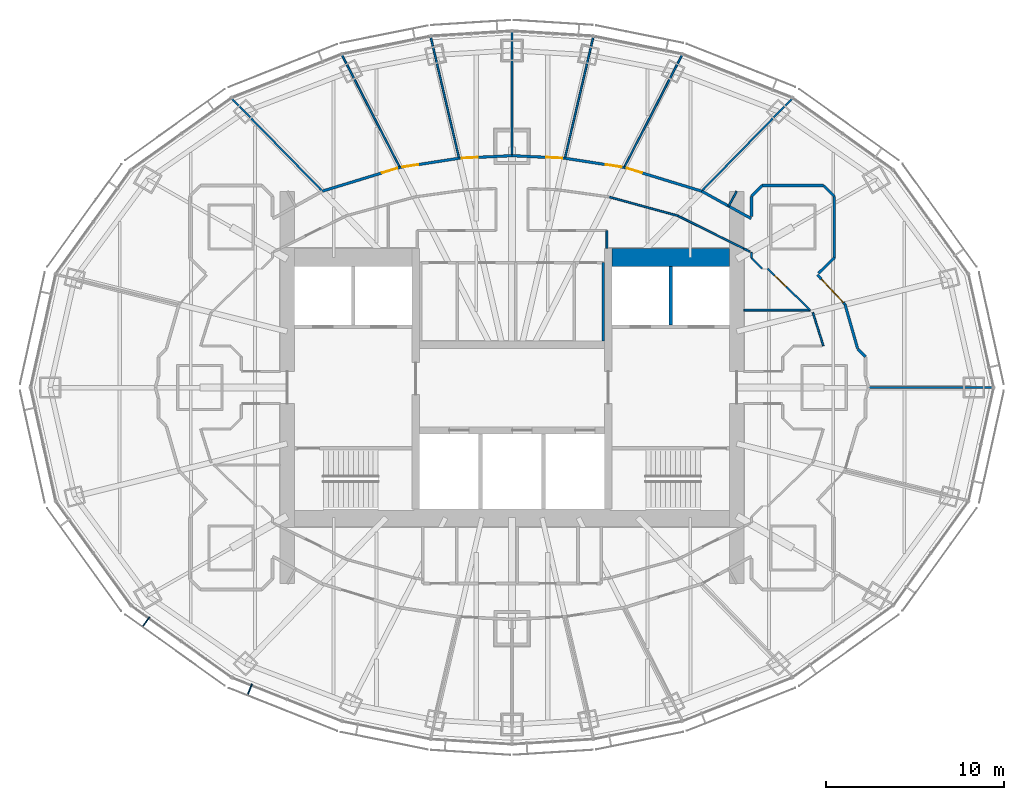
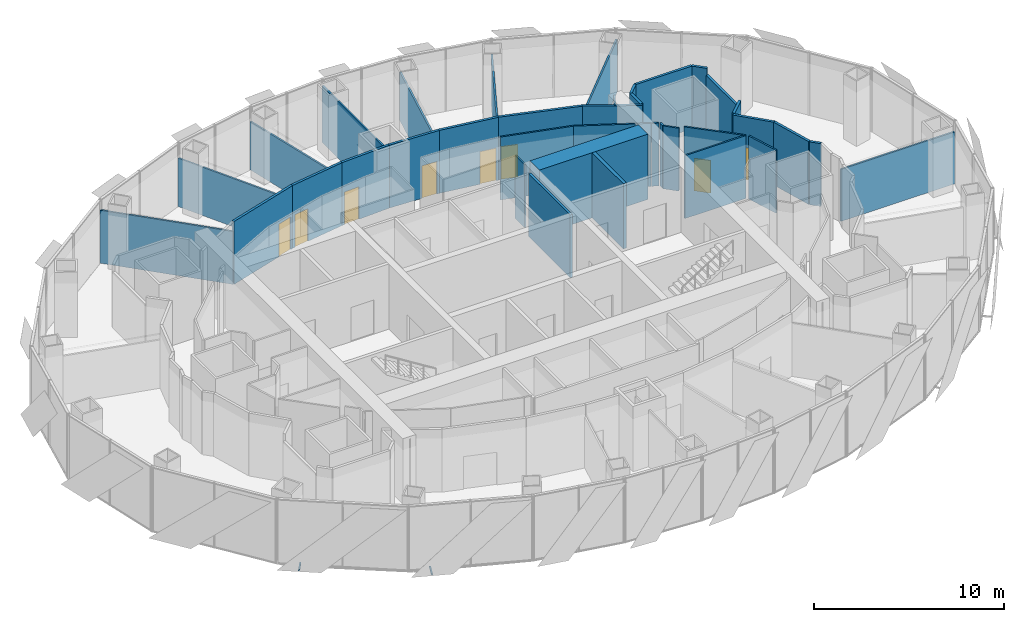
# One storey, part 15 of 19: 37 walls, 8 doors, 2 discrete accessories, 8 openings.
"""IFC4 building model written with IfcOpenShell, lengths in metres."""

from ifc_helpers import new_model, si_unit, direction, frame, frame_2d, origin, origin_2d, place, context, subcontext, project, spatial, rectangle, extrude, material, layer, layer_set, type_object, element, fill, save


model = new_model("IFC4")

# Units and contexts
model_context = context("Model", 3, precision=1e-05, world=origin(), true_north=direction((0.0, 1.0)))
body_context = subcontext(model_context, "Body", "Model", "MODEL_VIEW")
ifc_project = project(units=[si_unit("LENGTHUNIT", "METRE"), si_unit("AREAUNIT", "SQUARE_METRE"), si_unit("VOLUMEUNIT", "CUBIC_METRE"), si_unit("PLANEANGLEUNIT", "RADIAN"), si_unit("MASSUNIT", "GRAM", prefix="KILO")], contexts=[model_context])

# Site, building, storey
site_placement = place(None, origin())
site = spatial("IfcSite", under=ifc_project, at=site_placement, CompositionType="ELEMENT")
building_placement = place(site_placement, origin())
building = spatial("IfcBuilding", under=site, at=building_placement, Name="Lantaw Convention Tower", CompositionType="ELEMENT")
storey_placement = place(building_placement, frame((0.0, 0.0, 253.60009765625)))
storey = spatial("IfcBuildingStorey", under=building, at=storey_placement, Name="L59", CompositionType="ELEMENT", Elevation=253.60009765625)

# Wall
ifc_material_1 = material(Name="Concrete C60/75", Category="concrete")
ifc_layer_1 = layer(ifc_material_1, 1.0)
ifc_layer_set_1 = layer_set([ifc_layer_1], Name="Core wall 1000")
wall_type_1 = type_object("IfcWallType", Name="Core wall 1000", PredefinedType="SHEAR", material=ifc_layer_set_1)
wall_1_placement = place(storey_placement, frame((12.199951171875, 7.300048828125, 0.0), z_axis=(0.0, 0.0, 1.0), x_axis=(-1.0, 0.0, 0.0)))
element("IfcWall", 1, at=wall_1_placement, inside=storey, type_object=wall_type_1, Name="Core wall NE", PredefinedType="SHEAR", context=body_context, shape_type="SweptSolid", body=[
    extrude(rectangle(XDim=6.599853515625, YDim=1.0, at=frame_2d((3.2998046875, 0.0))), origin(), (0.0, 0.0, 1.0), 4.199951171875),
])

# Wall, opening, door
ifc_material_2 = material(Name="Gypsum board on steel studs, fire rated", Category="steel")
ifc_layer_2 = layer(ifc_material_2, 0.14990234375)
ifc_layer_set_2 = layer_set([ifc_layer_2], Name="Corridor wall 150 EI 60")
wall_type_2 = type_object("IfcWallType", Name="Corridor wall 150 EI 60", PredefinedType="PARTITIONING", material=ifc_layer_set_2)
wall_2_placement = place(storey_placement, frame((10.6328125, 11.010498046875, 0.0), z_axis=(0.0, 0.0, 1.0), x_axis=(-0.956185837153, 0.292760388079, 0.0)))
wall_2 = element("IfcWall", 2, at=wall_2_placement, inside=storey, type_object=wall_type_2, Name="Corridor wall 150", PredefinedType="PARTITIONING", context=body_context, shape_type="SweptSolid", body=[
    extrude(rectangle(XDim=4.5439453125, YDim=0.14990234375, at=frame_2d((2.27197265625, 0.0))), origin(), (0.0, 0.0, 1.0), 4.0498046875),
])
opening_1_placement = place(wall_2_placement, frame((3.493896484375, 0.0, 0.0)))
opening_1 = element("IfcOpeningElement", 3, at=opening_1_placement, cuts=wall_2, Name="Opening L59.34", PredefinedType="OPENING", context=body_context, shape_type="SweptSolid", body=[
    extrude(rectangle(XDim=0.89990234375, YDim=2.10009765625, at=frame_2d((0.449951171875, 1.050048828125))), frame((0.0, 0.0849609375, 0.0), z_axis=(0.0, -1.0, 0.0), x_axis=(1.0, 0.0, 0.0)), (0.0, 0.0, 1.0), 0.169921875),
])
ifc_material_3 = material(Name="Steel, fire rated", Category="steel")
door_type_1 = type_object("IfcDoorType", Name="Office door 900 FD30", OperationType="SINGLE_SWING_LEFT", PredefinedType="DOOR", material=ifc_material_3)
door_1_placement = place(opening_1_placement, origin())
door_1 = element("IfcDoor", 4, at=door_1_placement, inside=storey, type_object=door_type_1, Name="Private office door", OperationType="SINGLE_SWING_LEFT", OverallHeight=2.10009765625, OverallWidth=0.89990234375, PredefinedType="DOOR", context=body_context, shape_type="SweptSolid", body=[
    extrude(rectangle(XDim=0.89990234375, YDim=2.10009765625, at=frame_2d((0.449951171875, 1.050048828125))), frame((0.0, 0.02490234375, 0.0), z_axis=(0.0, -1.0, 0.0), x_axis=(1.0, 0.0, 0.0)), (0.0, 0.0, 1.0), 0.050048828125),
])
fill(opening_1, door_1)

wall_3_placement = place(storey_placement, frame((6.287841796875, 12.3408203125, 0.0), z_axis=(0.0, 0.0, 1.0), x_axis=(-0.988174283057, 0.153334882869, 0.0)))
wall_3 = element("IfcWall", 5, at=wall_3_placement, inside=storey, type_object=wall_type_2, Name="Corridor wall 150", PredefinedType="PARTITIONING", context=body_context, shape_type="SweptSolid", body=[
    extrude(rectangle(XDim=3.359619140625, YDim=0.14990234375, at=frame_2d((1.6796875, 0.0))), origin(), (0.0, 0.0, 1.0), 4.0498046875),
])
opening_2_placement = place(wall_3_placement, frame((0.14990234375, 0.0, 0.0)))
opening_2 = element("IfcOpeningElement", 6, at=opening_2_placement, cuts=wall_3, Name="Opening L59.35", PredefinedType="OPENING", context=body_context, shape_type="SweptSolid", body=[
    extrude(rectangle(XDim=0.89990234375, YDim=2.10009765625, at=frame_2d((0.449951171875, 1.050048828125))), frame((0.0, 0.0849609375, 0.0), z_axis=(0.0, -1.0, 0.0), x_axis=(1.0, 0.0, 0.0)), (0.0, 0.0, 1.0), 0.169921875),
])
door_2_placement = place(opening_2_placement, origin())
door_2 = element("IfcDoor", 7, at=door_2_placement, inside=storey, type_object=door_type_1, Name="Private office door", OperationType="SINGLE_SWING_LEFT", OverallHeight=2.10009765625, OverallWidth=0.89990234375, PredefinedType="DOOR", context=body_context, shape_type="SweptSolid", body=[
    extrude(rectangle(XDim=0.89990234375, YDim=2.10009765625, at=frame_2d((0.449951171875, 1.050048828125))), frame((0.0, 0.02490234375, 0.0), z_axis=(0.0, -1.0, 0.0), x_axis=(1.0, 0.0, 0.0)), (0.0, 0.0, 1.0), 0.050048828125),
])
fill(opening_2, door_2)

wall_4_placement = place(storey_placement, frame((2.968017578125, 12.85595703125, 0.0), z_axis=(0.0, 0.0, 1.0), x_axis=(-0.998824412818, 0.04847465687, 0.0)))
wall_4 = element("IfcWall", 8, at=wall_4_placement, inside=storey, type_object=wall_type_2, Name="Corridor wall 150", PredefinedType="PARTITIONING", context=body_context, shape_type="SweptSolid", body=[
    extrude(rectangle(XDim=2.971435546875, YDim=0.14990234375, at=frame_2d((1.48583984375, 0.0))), origin(), (0.0, 0.0, 1.0), 4.0498046875),
])
opening_3_placement = place(wall_4_placement, frame((0.14990234375, 0.0, 0.0)))
opening_3 = element("IfcOpeningElement", 9, at=opening_3_placement, cuts=wall_4, Name="Opening L59.36", PredefinedType="OPENING", context=body_context, shape_type="SweptSolid", body=[
    extrude(rectangle(XDim=0.89990234375, YDim=2.10009765625, at=frame_2d((0.449951171875, 1.050048828125))), frame((0.0, 0.0849609375, 0.0), z_axis=(0.0, -1.0, 0.0), x_axis=(1.0, 0.0, 0.0)), (0.0, 0.0, 1.0), 0.169921875),
])
door_3_placement = place(opening_3_placement, origin())
door_3 = element("IfcDoor", 10, at=door_3_placement, inside=storey, type_object=door_type_1, Name="Private office door", OperationType="SINGLE_SWING_LEFT", OverallHeight=2.10009765625, OverallWidth=0.89990234375, PredefinedType="DOOR", context=body_context, shape_type="SweptSolid", body=[
    extrude(rectangle(XDim=0.89990234375, YDim=2.10009765625, at=frame_2d((0.449951171875, 1.050048828125))), frame((0.0, 0.02490234375, 0.0), z_axis=(0.0, -1.0, 0.0), x_axis=(1.0, 0.0, 0.0)), (0.0, 0.0, 1.0), 0.050048828125),
])
fill(opening_3, door_3)

wall_5_placement = place(storey_placement, frame((0.0, 13.0, 0.0), z_axis=(0.0, 0.0, 1.0), x_axis=(-0.998824412818, -0.04847465687, 0.0)))
wall_5 = element("IfcWall", 11, at=wall_5_placement, inside=storey, type_object=wall_type_2, Name="Corridor wall 150", PredefinedType="PARTITIONING", context=body_context, shape_type="SweptSolid", body=[
    extrude(rectangle(XDim=2.971435546875, YDim=0.14990234375, at=frame_2d((1.48583984375, 0.0))), origin(), (0.0, 0.0, 1.0), 4.0498046875),
])
opening_4_placement = place(wall_5_placement, frame((1.92138671875, 0.0, 0.0)))
opening_4 = element("IfcOpeningElement", 12, at=opening_4_placement, cuts=wall_5, Name="Opening L59.37", PredefinedType="OPENING", context=body_context, shape_type="SweptSolid", body=[
    extrude(rectangle(XDim=0.89990234375, YDim=2.10009765625, at=frame_2d((0.449951171875, 1.050048828125))), frame((0.0, 0.0849609375, 0.0), z_axis=(0.0, -1.0, 0.0), x_axis=(1.0, 0.0, 0.0)), (0.0, 0.0, 1.0), 0.169921875),
])
door_4_placement = place(opening_4_placement, origin())
door_4 = element("IfcDoor", 13, at=door_4_placement, inside=storey, type_object=door_type_1, Name="Private office door", OperationType="SINGLE_SWING_LEFT", OverallHeight=2.10009765625, OverallWidth=0.89990234375, PredefinedType="DOOR", context=body_context, shape_type="SweptSolid", body=[
    extrude(rectangle(XDim=0.89990234375, YDim=2.10009765625, at=frame_2d((0.449951171875, 1.050048828125))), frame((0.0, 0.02490234375, 0.0), z_axis=(0.0, -1.0, 0.0), x_axis=(1.0, 0.0, 0.0)), (0.0, 0.0, 1.0), 0.050048828125),
])
fill(opening_4, door_4)

wall_6_placement = place(storey_placement, frame((-2.968017578125, 12.85595703125, 0.0), z_axis=(0.0, 0.0, 1.0), x_axis=(-0.988174283057, -0.153334882869, 0.0)))
wall_6 = element("IfcWall", 14, at=wall_6_placement, inside=storey, type_object=wall_type_2, Name="Corridor wall 150", PredefinedType="PARTITIONING", context=body_context, shape_type="SweptSolid", body=[
    extrude(rectangle(XDim=3.359619140625, YDim=0.14990234375, at=frame_2d((1.6796875, 0.0))), origin(), (0.0, 0.0, 1.0), 4.0498046875),
])
opening_5_placement = place(wall_6_placement, frame((2.3095703125, 0.0, 0.0)))
opening_5 = element("IfcOpeningElement", 15, at=opening_5_placement, cuts=wall_6, Name="Opening L59.38", PredefinedType="OPENING", context=body_context, shape_type="SweptSolid", body=[
    extrude(rectangle(XDim=0.89990234375, YDim=2.10009765625, at=frame_2d((0.449951171875, 1.050048828125))), frame((0.0, 0.0849609375, 0.0), z_axis=(0.0, -1.0, 0.0), x_axis=(1.0, 0.0, 0.0)), (0.0, 0.0, 1.0), 0.169921875),
])
door_5_placement = place(opening_5_placement, origin())
door_5 = element("IfcDoor", 16, at=door_5_placement, inside=storey, type_object=door_type_1, Name="Private office door", OperationType="SINGLE_SWING_LEFT", OverallHeight=2.10009765625, OverallWidth=0.89990234375, PredefinedType="DOOR", context=body_context, shape_type="SweptSolid", body=[
    extrude(rectangle(XDim=0.89990234375, YDim=2.10009765625, at=frame_2d((0.449951171875, 1.050048828125))), frame((0.0, 0.02490234375, 0.0), z_axis=(0.0, -1.0, 0.0), x_axis=(1.0, 0.0, 0.0)), (0.0, 0.0, 1.0), 0.050048828125),
])
fill(opening_5, door_5)

wall_7_placement = place(storey_placement, frame((-6.287841796875, 12.3408203125, 0.0), z_axis=(0.0, 0.0, 1.0), x_axis=(-0.956185837153, -0.292760388079, 0.0)))
wall_7 = element("IfcWall", 17, at=wall_7_placement, inside=storey, type_object=wall_type_2, Name="Corridor wall 150", PredefinedType="PARTITIONING", context=body_context, shape_type="SweptSolid", body=[
    extrude(rectangle(XDim=4.5439453125, YDim=0.14990234375, at=frame_2d((2.27197265625, 0.0))), origin(), (0.0, 0.0, 1.0), 4.0498046875),
])
opening_6_placement = place(wall_7_placement, frame((0.14990234375, 0.0, 0.0)))
opening_6 = element("IfcOpeningElement", 18, at=opening_6_placement, cuts=wall_7, Name="Opening L59.39", PredefinedType="OPENING", context=body_context, shape_type="SweptSolid", body=[
    extrude(rectangle(XDim=0.89990234375, YDim=2.10009765625, at=frame_2d((0.449951171875, 1.050048828125))), frame((0.0, 0.0849609375, 0.0), z_axis=(0.0, -1.0, 0.0), x_axis=(1.0, 0.0, 0.0)), (0.0, 0.0, 1.0), 0.169921875),
])
door_6_placement = place(opening_6_placement, origin())
door_6 = element("IfcDoor", 19, at=door_6_placement, inside=storey, type_object=door_type_1, Name="Private office door", OperationType="SINGLE_SWING_LEFT", OverallHeight=2.10009765625, OverallWidth=0.89990234375, PredefinedType="DOOR", context=body_context, shape_type="SweptSolid", body=[
    extrude(rectangle(XDim=0.89990234375, YDim=2.10009765625, at=frame_2d((0.449951171875, 1.050048828125))), frame((0.0, 0.02490234375, 0.0), z_axis=(0.0, -1.0, 0.0), x_axis=(1.0, 0.0, 0.0)), (0.0, 0.0, 1.0), 0.050048828125),
])
fill(opening_6, door_6)

wall_8_placement = place(storey_placement, frame((18.67333984375, 4.65576171875, 0.0), z_axis=(0.0, 0.0, 1.0), x_axis=(-0.680985069419, 0.732297299755, 0.0)))
wall_8 = element("IfcWall", 20, at=wall_8_placement, inside=storey, type_object=wall_type_2, Name="Corridor wall 150", PredefinedType="PARTITIONING", context=body_context, shape_type="SweptSolid", body=[
    extrude(rectangle(XDim=2.279052734375, YDim=0.14990234375, at=frame_2d((1.1396484375, 0.0))), origin(), (0.0, 0.0, 1.0), 4.0498046875),
])
opening_7_placement = place(wall_8_placement, frame((0.14990234375, 0.0, 0.0)))
opening_7 = element("IfcOpeningElement", 21, at=opening_7_placement, cuts=wall_8, Name="Opening L59.33", PredefinedType="OPENING", context=body_context, shape_type="SweptSolid", body=[
    extrude(rectangle(XDim=1.800048828125, YDim=2.10009765625, at=frame_2d((0.89990234375, 1.050048828125))), frame((0.0, 0.0849609375, 0.0), z_axis=(0.0, -1.0, 0.0), x_axis=(1.0, 0.0, 0.0)), (0.0, 0.0, 1.0), 0.169921875),
])
door_type_2 = type_object("IfcDoorType", Name="Office double door 1800 FD30", OperationType="DOUBLE_DOOR_DOUBLE_SWING", PredefinedType="DOOR", material=ifc_material_3)
door_7_placement = place(opening_7_placement, origin())
door_7 = element("IfcDoor", 22, at=door_7_placement, inside=storey, type_object=door_type_2, Name="Reception door", OperationType="DOUBLE_DOOR_DOUBLE_SWING", OverallHeight=2.10009765625, OverallWidth=1.800048828125, PredefinedType="DOOR", context=body_context, shape_type="SweptSolid", body=[
    extrude(rectangle(XDim=1.800048828125, YDim=2.10009765625, at=frame_2d((0.89990234375, 1.050048828125))), frame((0.0, 0.02490234375, 0.0), z_axis=(0.0, -1.0, 0.0), x_axis=(1.0, 0.0, 0.0)), (0.0, 0.0, 1.0), 0.050048828125),
])
fill(opening_7, door_7)

# Walls
wall_9_placement = place(storey_placement, frame((13.4150390625, 9.4716796875, 0.0), z_axis=(0.0, 0.0, 1.0), x_axis=(-0.875072100837, 0.483992580869, 0.0)))
element("IfcWall", 23, at=wall_9_placement, inside=storey, type_object=wall_type_2, Name="Corridor wall 150", PredefinedType="PARTITIONING", context=body_context, shape_type="SweptSolid", body=[
    extrude(rectangle(XDim=3.179443359375, YDim=0.14990234375, at=frame_2d((1.58984375, 0.0))), origin(), (0.0, 0.0, 1.0), 4.0498046875),
])
wall_10_placement = place(storey_placement, frame((13.425048828125, 9.586181640625, 0.0), z_axis=(0.0, 0.0, 1.0), x_axis=(0.0, 1.0, 0.0)))
element("IfcWall", 24, at=wall_10_placement, inside=storey, type_object=wall_type_2, Name="Corridor wall 150", PredefinedType="PARTITIONING", context=body_context, shape_type="SweptSolid", body=[
    extrude(rectangle(XDim=1.138427734375, YDim=0.14990234375, at=frame_2d((0.5693359375, 0.0))), origin(), (0.0, 0.0, 1.0), 4.0498046875),
])
wall_11_placement = place(storey_placement, frame((13.425048828125, 10.724609375, 0.0), z_axis=(0.0, 0.0, 1.0), x_axis=(0.707106781187, 0.707106781187, 0.0)))
element("IfcWall", 25, at=wall_11_placement, inside=storey, type_object=wall_type_2, Name="Corridor wall 150", PredefinedType="PARTITIONING", context=body_context, shape_type="SweptSolid", body=[
    extrude(rectangle(XDim=0.84912109375, YDim=0.14990234375, at=frame_2d((0.424560546875, 0.0))), origin(), (0.0, 0.0, 1.0), 4.0498046875),
])
wall_12_placement = place(storey_placement, frame((14.025390625, 11.324951171875, 0.0), z_axis=(0.0, 0.0, 1.0), x_axis=(1.0, 0.0, 0.0)))
element("IfcWall", 26, at=wall_12_placement, inside=storey, type_object=wall_type_2, Name="Corridor wall 150", PredefinedType="PARTITIONING", context=body_context, shape_type="SweptSolid", body=[
    extrude(rectangle(XDim=3.44921875, YDim=0.14990234375, at=frame_2d((1.724609375, 0.0))), origin(), (0.0, 0.0, 1.0), 4.0498046875),
])
wall_13_placement = place(storey_placement, frame((17.474609375, 11.324951171875, 0.0), z_axis=(0.0, 0.0, 1.0), x_axis=(0.707106781187, -0.707106781187, 0.0)))
element("IfcWall", 27, at=wall_13_placement, inside=storey, type_object=wall_type_2, Name="Corridor wall 150", PredefinedType="PARTITIONING", context=body_context, shape_type="SweptSolid", body=[
    extrude(rectangle(XDim=0.84912109375, YDim=0.14990234375, at=frame_2d((0.424560546875, 0.0))), origin(), (0.0, 0.0, 1.0), 4.0498046875),
])
wall_14_placement = place(storey_placement, frame((18.074951171875, 10.724609375, 0.0), z_axis=(0.0, 0.0, 1.0), x_axis=(0.0, -1.0, 0.0)))
element("IfcWall", 28, at=wall_14_placement, inside=storey, type_object=wall_type_2, Name="Corridor wall 150", PredefinedType="PARTITIONING", context=body_context, shape_type="SweptSolid", body=[
    extrude(rectangle(XDim=3.44921875, YDim=0.14990234375, at=frame_2d((1.724609375, 0.0))), origin(), (0.0, 0.0, 1.0), 3.600341796875),
])
wall_15_placement = place(storey_placement, frame((18.074951171875, 7.275390625, 0.0), z_axis=(0.0, 0.0, 1.0), x_axis=(-0.713842064016, -0.700306723973, 0.0)))
element("IfcWall", 29, at=wall_15_placement, inside=storey, type_object=wall_type_2, Name="Corridor wall 150", PredefinedType="PARTITIONING", context=body_context, shape_type="SweptSolid", body=[
    extrude(rectangle(XDim=1.24462890625, YDim=0.14990234375, at=frame_2d((0.622314453125, 0.0))), origin(), (0.0, 0.0, 1.0), 4.0498046875),
])
wall_16_placement = place(storey_placement, frame((19.376953125, 2.186767578125, 0.0), z_axis=(0.0, 0.0, 1.0), x_axis=(-0.274067949327, 0.961710330168, 0.0)))
element("IfcWall", 30, at=wall_16_placement, inside=storey, type_object=wall_type_2, Name="Corridor wall 150", PredefinedType="PARTITIONING", context=body_context, shape_type="SweptSolid", body=[
    extrude(rectangle(XDim=2.5673828125, YDim=0.14990234375, at=frame_2d((1.28369140625, 0.0))), origin(), (0.0, 0.0, 1.0), 4.0498046875),
])
wall_17_placement = place(storey_placement, frame((19.39013671875, 2.159423828125, 0.0), z_axis=(0.0, 0.0, 1.0), x_axis=(0.707106781187, -0.707106781187, 0.0)))
element("IfcWall", 31, at=wall_17_placement, inside=storey, type_object=wall_type_2, Name="Corridor wall 150", PredefinedType="PARTITIONING", context=body_context, shape_type="SweptSolid", body=[
    extrude(rectangle(XDim=0.614990234375, YDim=0.14990234375, at=frame_2d((0.3076171875, 0.0))), origin(), (0.0, 0.0, 1.0), 4.0498046875),
])
ifc_material_4 = material(Name="Gypsum board on steel studs, acoustic", Category="steel")
ifc_layer_3 = layer(ifc_material_4, 0.10009765625)
ifc_layer_set_3 = layer_set([ifc_layer_3], Name="Office partition 100")
wall_type_3 = type_object("IfcWallType", Name="Office partition 100", PredefinedType="PARTITIONING", material=ifc_layer_set_3)
wall_18_placement = place(storey_placement, frame((26.944091796875, 0.0, 0.0), z_axis=(0.0, 0.0, 1.0), x_axis=(-1.0, 0.0, 0.0)))
element("IfcWall", 32, at=wall_18_placement, inside=storey, type_object=wall_type_3, Name="Office partition 100", PredefinedType="PARTITIONING", context=body_context, shape_type="SweptSolid", body=[
    extrude(rectangle(XDim=6.944091796875, YDim=0.10009765625, at=frame_2d((3.47216796875, 0.0))), origin(), (0.0, 0.0, 1.0), 3.348876953125),
])
wall_19_placement = place(storey_placement, frame((15.709228515625, 16.19873046875, 0.0), z_axis=(0.0, 0.0, 1.0), x_axis=(-0.699362525935, -0.714767135029, 0.0)))
element("IfcWall", 33, at=wall_19_placement, inside=storey, type_object=wall_type_3, Name="Office partition 100", PredefinedType="PARTITIONING", context=body_context, shape_type="SweptSolid", body=[
    extrude(rectangle(XDim=7.258544921875, YDim=0.10009765625, at=frame_2d((3.62939453125, 0.0))), origin(), (0.0, 0.0, 1.0), 3.409912109375),
])
wall_20_placement = place(storey_placement, frame((9.53955078125, 18.650390625, 0.0), z_axis=(0.0, 0.0, 1.0), x_axis=(-0.45810402165, -0.88889859115, 0.0)))
element("IfcWall", 34, at=wall_20_placement, inside=storey, type_object=wall_type_3, Name="Office partition 100", PredefinedType="PARTITIONING", context=body_context, shape_type="SweptSolid", body=[
    extrude(rectangle(XDim=7.09814453125, YDim=0.10009765625, at=frame_2d((3.549072265625, 0.0))), origin(), (0.0, 0.0, 1.0), 3.107666015625),
])
wall_21_placement = place(storey_placement, frame((4.5556640625, 19.65673828125, 0.0), z_axis=(0.0, 0.0, 1.0), x_axis=(-0.22733791689, -0.973815933092, 0.0)))
element("IfcWall", 35, at=wall_21_placement, inside=storey, type_object=wall_type_3, Name="Office partition 100", PredefinedType="PARTITIONING", context=body_context, shape_type="SweptSolid", body=[
    extrude(rectangle(XDim=6.983642578125, YDim=0.10009765625, at=frame_2d((3.49169921875, 0.0))), origin(), (0.0, 0.0, 1.0), 3.107666015625),
])
wall_22_placement = place(storey_placement, frame((0.0, 19.94482421875, 0.0), z_axis=(0.0, 0.0, 1.0), x_axis=(0.0, -1.0, 0.0)))
element("IfcWall", 36, at=wall_22_placement, inside=storey, type_object=wall_type_3, Name="Office partition 100", PredefinedType="PARTITIONING", context=body_context, shape_type="SweptSolid", body=[
    extrude(rectangle(XDim=6.94482421875, YDim=0.10009765625, at=frame_2d((3.472412109375, 0.0))), origin(), (0.0, 0.0, 1.0), 3.6435546875),
])
wall_23_placement = place(storey_placement, frame((-4.5556640625, 19.65673828125, 0.0), z_axis=(0.0, 0.0, 1.0), x_axis=(0.22733791689, -0.973815933092, 0.0)))
element("IfcWall", 37, at=wall_23_placement, inside=storey, type_object=wall_type_3, Name="Office partition 100", PredefinedType="PARTITIONING", context=body_context, shape_type="SweptSolid", body=[
    extrude(rectangle(XDim=6.983642578125, YDim=0.10009765625, at=frame_2d((3.49169921875, 0.0))), origin(), (0.0, 0.0, 1.0), 3.107666015625),
])
wall_24_placement = place(storey_placement, frame((-9.53955078125, 18.650390625, 0.0), z_axis=(0.0, 0.0, 1.0), x_axis=(0.45810402165, -0.88889859115, 0.0)))
element("IfcWall", 38, at=wall_24_placement, inside=storey, type_object=wall_type_3, Name="Office partition 100", PredefinedType="PARTITIONING", context=body_context, shape_type="SweptSolid", body=[
    extrude(rectangle(XDim=7.09814453125, YDim=0.10009765625, at=frame_2d((3.549072265625, 0.0))), origin(), (0.0, 0.0, 1.0), 3.107666015625),
])
wall_25_placement = place(storey_placement, frame((-15.709228515625, 16.19873046875, 0.0), z_axis=(0.0, 0.0, 1.0), x_axis=(0.699362525935, -0.714767135029, 0.0)))
element("IfcWall", 39, at=wall_25_placement, inside=storey, type_object=wall_type_3, Name="Office partition 100", PredefinedType="PARTITIONING", context=body_context, shape_type="SweptSolid", body=[
    extrude(rectangle(XDim=7.258544921875, YDim=0.10009765625, at=frame_2d((3.62939453125, 0.0))), origin(), (0.0, 0.0, 1.0), 3.409912109375),
])
wall_26_placement = place(storey_placement, frame((13.0, 4.340087890625, 0.0), z_axis=(0.0, 0.0, 1.0), x_axis=(1.0, 0.0, 0.0)))
element("IfcWall", 40, at=wall_26_placement, inside=storey, type_object=wall_type_3, Name="Office partition 100", PredefinedType="PARTITIONING", context=body_context, shape_type="SweptSolid", body=[
    extrude(rectangle(XDim=3.729248046875, YDim=0.10009765625, at=frame_2d((1.86474609375, 0.0))), origin(), (0.0, 0.0, 1.0), 4.0498046875),
])
wall_27_placement = place(storey_placement, frame((13.0, 7.788330078125, 0.0), z_axis=(0.0, 0.0, 1.0), x_axis=(0.895721570004, -0.444615416995, 0.0)))
element("IfcWall", 41, at=wall_27_placement, inside=storey, type_object=wall_type_3, Name="Office partition 100", PredefinedType="PARTITIONING", context=body_context, shape_type="SweptSolid", body=[
    extrude(rectangle(XDim=0.376220703125, YDim=0.10009765625, at=frame_2d((0.18798828125, 0.0))), origin(), (0.0, 0.0, 1.0), 4.0498046875),
])
wall_28_placement = place(storey_placement, frame((5.320068359375, 7.800048828125, 0.0), z_axis=(0.0, 0.0, 1.0), x_axis=(0.0, 1.0, 0.0)))
element("IfcWall", 42, at=wall_28_placement, inside=storey, type_object=wall_type_3, Name="Office partition 100", PredefinedType="PARTITIONING", context=body_context, shape_type="SweptSolid", body=[
    extrude(rectangle(XDim=1.0, YDim=0.10009765625, at=frame_2d((0.5, 0.0))), origin(), (0.0, 0.0, 1.0), 4.0498046875),
])
wall_29_placement = place(storey_placement, frame((5.4453125, 10.68701171875, 0.0), z_axis=(0.0, 0.0, 1.0), x_axis=(0.964244438722, -0.265014456954, 0.0)))
element("IfcWall", 43, at=wall_29_placement, inside=storey, type_object=wall_type_3, Name="Office partition 100", PredefinedType="PARTITIONING", context=body_context, shape_type="SweptSolid", body=[
    extrude(rectangle(XDim=3.995361328125, YDim=0.10009765625, at=frame_2d((1.99755859375, 0.0))), origin(), (0.0, 0.0, 1.0), 4.0498046875),
])
wall_30_placement = place(storey_placement, frame((9.2978515625, 9.628173828125, 0.0), z_axis=(0.0, 0.0, 1.0), x_axis=(0.895529831139, -0.445001484874, 0.0)))
element("IfcWall", 44, at=wall_30_placement, inside=storey, type_object=wall_type_3, Name="Office partition 100", PredefinedType="PARTITIONING", context=body_context, shape_type="SweptSolid", body=[
    extrude(rectangle(XDim=4.108154296875, YDim=0.10009765625, at=frame_2d((2.05419921875, 0.0))), origin(), (0.0, 0.0, 1.0), 4.0498046875),
])
wall_31_placement = place(storey_placement, frame((12.60009765625, 11.0, 0.0), z_axis=(0.0, 0.0, 1.0), x_axis=(-0.484103558985, -0.875010710893, 0.0)))
element("IfcWall", 45, at=wall_31_placement, inside=storey, type_object=wall_type_3, Name="Office partition 100", PredefinedType="PARTITIONING", context=body_context, shape_type="SweptSolid", body=[
    extrude(rectangle(XDim=0.943115234375, YDim=0.10009765625, at=frame_2d((0.4716796875, 0.0))), origin(), (0.0, 0.0, 1.0), 4.0498046875),
])

# Wall, opening, door
wall_32_placement = place(storey_placement, frame((14.325439453125, 6.6650390625, 0.0), z_axis=(0.0, 0.0, 1.0), x_axis=(0.718798647558, -0.695218314107, 0.0)))
wall_32 = element("IfcWall", 46, at=wall_32_placement, inside=storey, type_object=wall_type_3, Name="Office partition 100", PredefinedType="PARTITIONING", context=body_context, shape_type="SweptSolid", body=[
    extrude(rectangle(XDim=3.34423828125, YDim=0.10009765625, at=frame_2d((1.672119140625, 0.0))), origin(), (0.0, 0.0, 1.0), 4.0498046875),
])
opening_8_placement = place(wall_32_placement, frame((0.550048828125, 0.0, 0.0)))
opening_8 = element("IfcOpeningElement", 47, at=opening_8_placement, cuts=wall_32, Name="Opening L59.28", PredefinedType="OPENING", context=body_context, shape_type="SweptSolid", body=[
    extrude(rectangle(XDim=0.89990234375, YDim=2.10009765625, at=frame_2d((0.449951171875, 1.050048828125))), frame((0.0, 0.06005859375, 0.0), z_axis=(0.0, -1.0, 0.0), x_axis=(1.0, 0.0, 0.0)), (0.0, 0.0, 1.0), 0.1201171875),
])
ifc_material_5 = material(Name="Timber", Category="wood")
door_type_3 = type_object("IfcDoorType", Name="Office door 900", OperationType="SINGLE_SWING_LEFT", PredefinedType="DOOR", material=ifc_material_5)
door_8_placement = place(opening_8_placement, origin())
door_8 = element("IfcDoor", 48, at=door_8_placement, inside=storey, type_object=door_type_3, Name="Meeting room door", OperationType="SINGLE_SWING_LEFT", OverallHeight=2.10009765625, OverallWidth=0.89990234375, PredefinedType="DOOR", context=body_context, shape_type="SweptSolid", body=[
    extrude(rectangle(XDim=0.89990234375, YDim=2.10009765625, at=frame_2d((0.449951171875, 1.050048828125))), frame((0.0, 0.02490234375, 0.0), z_axis=(0.0, -1.0, 0.0), x_axis=(1.0, 0.0, 0.0)), (0.0, 0.0, 1.0), 0.050048828125),
])
fill(opening_8, door_8)

# Walls
wall_33_placement = place(storey_placement, frame((14.025390625, 6.675048828125, 0.0), z_axis=(0.0, 0.0, 1.0), x_axis=(-0.707106781187, 0.707106781187, 0.0)))
element("IfcWall", 49, at=wall_33_placement, inside=storey, type_object=wall_type_3, Name="Office partition 100", PredefinedType="PARTITIONING", context=body_context, shape_type="SweptSolid", body=[
    extrude(rectangle(XDim=0.84912109375, YDim=0.10009765625, at=frame_2d((0.424560546875, 0.0))), origin(), (0.0, 0.0, 1.0), 4.0498046875),
])
wall_34_placement = place(storey_placement, frame((13.425048828125, 7.275390625, 0.0), z_axis=(0.0, 0.0, 1.0), x_axis=(0.0, 1.0, 0.0)))
element("IfcWall", 50, at=wall_34_placement, inside=storey, type_object=wall_type_3, Name="Office partition 100", PredefinedType="PARTITIONING", context=body_context, shape_type="SweptSolid", body=[
    extrude(rectangle(XDim=0.30224609375, YDim=0.10009765625, at=frame_2d((0.151123046875, 0.0))), origin(), (0.0, 0.0, 1.0), 4.0498046875),
])
wall_35_placement = place(storey_placement, frame((16.8681640625, 4.205810546875, 0.0), z_axis=(0.0, 0.0, 1.0), x_axis=(0.301821975729, -0.953364303384, 0.0)))
element("IfcWall", 51, at=wall_35_placement, inside=storey, type_object=wall_type_3, Name="Office partition 100", PredefinedType="PARTITIONING", context=body_context, shape_type="SweptSolid", body=[
    extrude(rectangle(XDim=1.96240234375, YDim=0.10009765625, at=frame_2d((0.981201171875, 0.0))), origin(), (0.0, 0.0, 1.0), 4.0498046875),
])
ifc_material_6 = material(Name="Concrete blockwork, fire rated", Category="masonry")
ifc_layer_4 = layer(ifc_material_6, 0.199951171875)
ifc_layer_set_4 = layer_set([ifc_layer_4], Name="Shaft wall 200")
wall_type_4 = type_object("IfcWallType", Name="Shaft wall 200", PredefinedType="SOLIDWALL", material=ifc_layer_set_4)
wall_36_placement = place(storey_placement, frame((8.89990234375, 3.5, 0.0), z_axis=(0.0, 0.0, 1.0), x_axis=(0.0, 1.0, 0.0)))
element("IfcWall", 52, at=wall_36_placement, inside=storey, type_object=wall_type_4, Name="Shaft wall ED", PredefinedType="SOLIDWALL", context=body_context, shape_type="SweptSolid", body=[
    extrude(rectangle(XDim=3.300048828125, YDim=0.199951171875, at=frame_2d((1.64990234375, 0.0))), origin(), (0.0, 0.0, 1.0), 4.199951171875),
])
ifc_material_7 = material(Name="Concrete blockwork", Category="masonry")
ifc_layer_5 = layer(ifc_material_7, 0.14990234375)
ifc_layer_set_5 = layer_set([ifc_layer_5], Name="WC wall 150")
wall_type_5 = type_object("IfcWallType", Name="WC wall 150", PredefinedType="SOLIDWALL", material=ifc_layer_set_5)
wall_37_placement = place(storey_placement, frame((5.1201171875, 2.60009765625, 0.0), z_axis=(0.0, 0.0, 1.0), x_axis=(0.0, 1.0, 0.0)))
element("IfcWall", 53, at=wall_37_placement, inside=storey, type_object=wall_type_5, Name="WC wall 150", PredefinedType="SOLIDWALL", context=body_context, shape_type="SweptSolid", body=[
    extrude(rectangle(XDim=4.39990234375, YDim=0.14990234375, at=frame_2d((2.199951171875, 0.0))), origin(), (0.0, 0.0, 1.0), 4.0498046875),
])

# Discrete accessories
for number, where, z_axis, x_axis, name in (
    (54, (-20.524169921875, -13.14453125, -0.115234375), (0.0, 0.0, 1.0), (0.813672540482, -0.581323487281, 0.0), "Screen bracket"),
    (55, (-14.707763671875, -16.94140625, -0.115234375), (0.0, 0.0, 1.0), (0.929761533743, -0.368162315252, 0.0), "Screen bracket"),
):
    element("IfcDiscreteAccessory", number, at=place(storey_placement, frame(where, z_axis=z_axis, x_axis=x_axis)), inside=storey, Name=name, PredefinedType="BRACKET", context=body_context, shape_type="SweptSolid", body=[
        extrude(rectangle(XDim=0.080078125, YDim=0.68798828125, at=origin_2d()), origin(), (0.0, 0.0, 1.0), 0.080078125),
    ])

save(model, "model.ifc")
